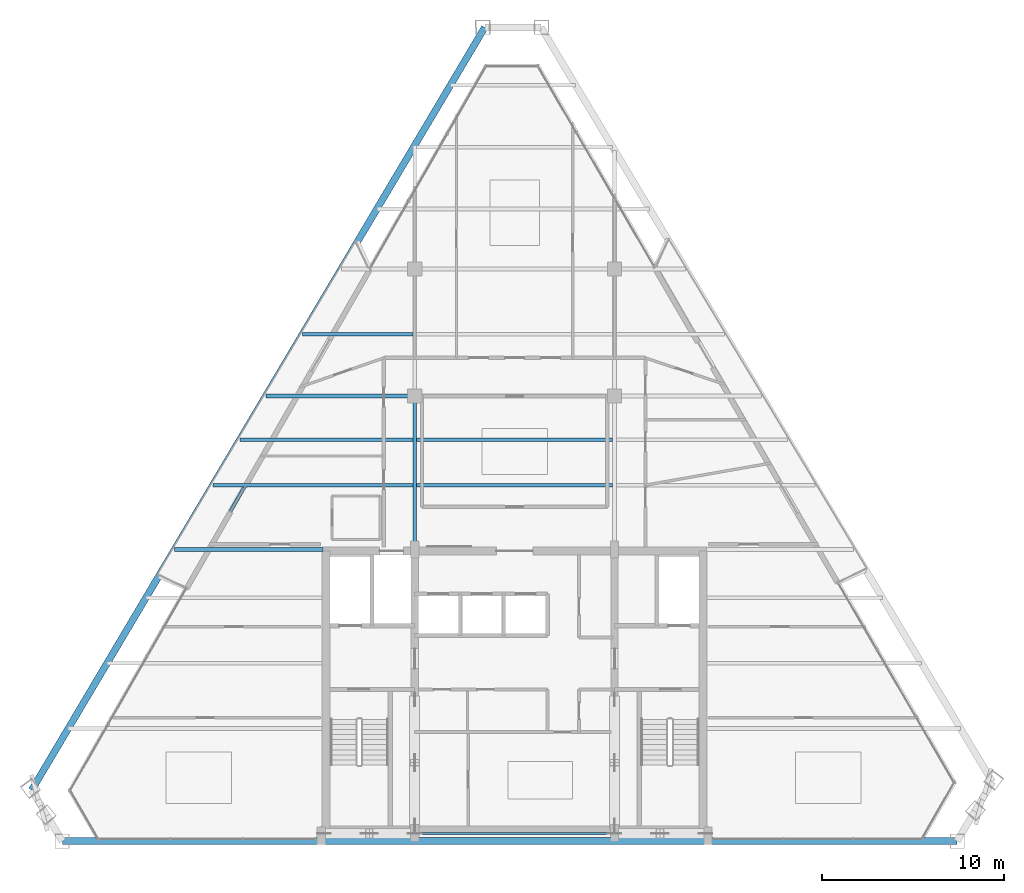
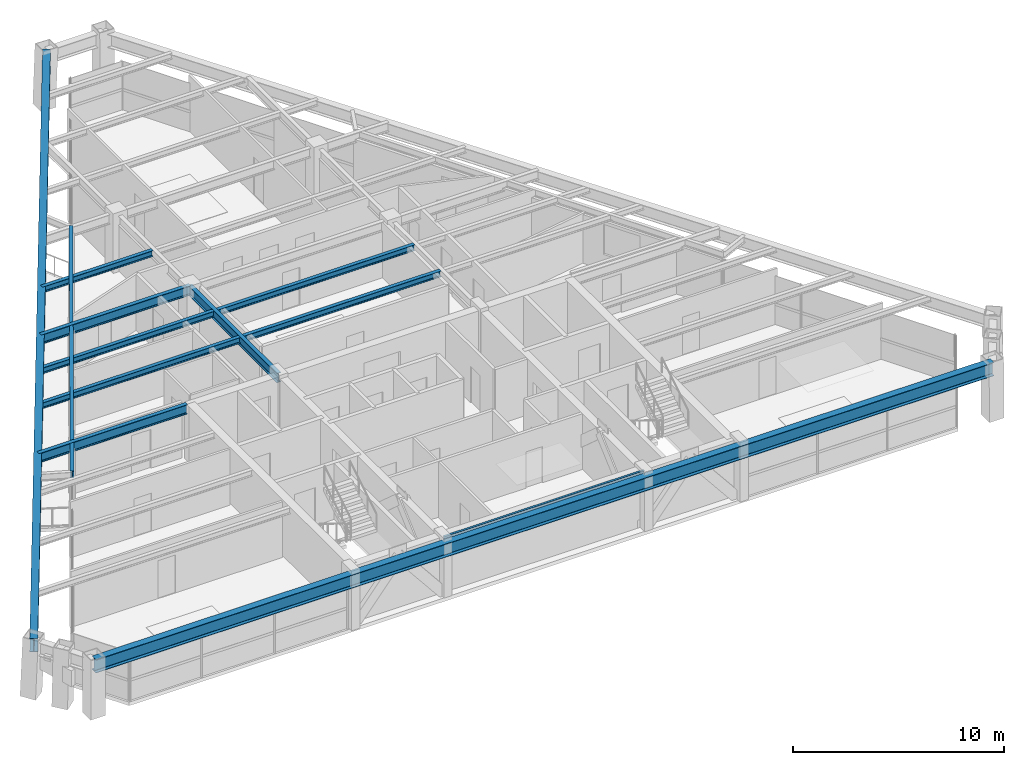
# One storey, part 3 of 13: 12 beams.
"""IFC4 building model written with IfcOpenShell, lengths in metres."""

from ifc_helpers import new_model, si_unit, direction, frame, origin, origin_2d, place, context, subcontext, project, spatial, i_section, extrude, source, transform, mapped, material, material_profile, profile_set, type_object, type_shapes, element, save


model = new_model("IFC4")

# Units and contexts
model_context = context("Model", 3, precision=1e-05, world=origin(), true_north=direction((0.0, 1.0)))
body_context = subcontext(model_context, "Body", "Model", "MODEL_VIEW")
ifc_project = project(units=[si_unit("LENGTHUNIT", "METRE"), si_unit("AREAUNIT", "SQUARE_METRE"), si_unit("VOLUMEUNIT", "CUBIC_METRE"), si_unit("PLANEANGLEUNIT", "RADIAN"), si_unit("MASSUNIT", "GRAM", prefix="KILO")], contexts=[model_context])

# Site, building, storey
site_placement = place(None, origin())
site = spatial("IfcSite", under=ifc_project, at=site_placement, CompositionType="ELEMENT")
building_placement = place(site_placement, origin())
building = spatial("IfcBuilding", under=site, at=building_placement, Name="Varnakhor Terracotta Tower", CompositionType="ELEMENT")
storey_placement = place(building_placement, frame((0.0, 0.0, 290.25)))
storey = spatial("IfcBuildingStorey", under=building, at=storey_placement, Name="L76", CompositionType="ELEMENT", Elevation=290.25)

# Beams
ifc_material = material(Name="Steel S355", Category="steel")
ifc_material_profile_1 = material_profile(ifc_material, i_section(OverallWidth=0.1201171875, OverallDepth=0.239990234375, WebThickness=0.006103515625, FlangeThickness=0.009765625, FilletRadius=0.01806640625, at=origin_2d()), Name="IPE240")
ifc_profile_set_1 = profile_set([ifc_material_profile_1], Name="Steel S355")
beam_type_1 = type_object("IfcBeamType", Name="LNT-IPE240", PredefinedType="LINTEL", material=ifc_profile_set_1)
shared_shape_1 = source(origin(), body_context, "Body", "SweptSolid", [
    extrude(i_section(OverallWidth=0.1201171875, OverallDepth=0.239990234375, WebThickness=0.006103515625, FlangeThickness=0.009765625, FilletRadius=0.01806640625, at=origin_2d()), origin(), (0.0, 0.0, 1.0), 11.0),
])
type_shapes(beam_type_1, [shared_shape_1])
beam_1_placement = place(storey_placement, frame((-5.5, 0.419921875, 3.1201171875), z_axis=(1.0, 0.0, 0.0), x_axis=(0.0, 1.0, 0.0)))
element("IfcBeam", 1, at=beam_1_placement, inside=storey, type_object=beam_type_1, Name="L76 Core South Coupling Lintel", PredefinedType="LINTEL", context=body_context, shape_type="MappedRepresentation", body=[
    mapped(shared_shape_1, transform((0.0, 0.0, 0.0), scale=1.0)),
])
ifc_material_profile_2 = material_profile(ifc_material, i_section(OverallWidth=0.214111328125, OverallDepth=0.549072265625, WebThickness=0.014892578125, FlangeThickness=0.02392578125, FilletRadius=0.01806640625, at=origin_2d()), Name="W21X93")
ifc_profile_set_2 = profile_set([ifc_material_profile_2], Name="Steel S355")
beam_type_2 = type_object("IfcBeamType", Name="BM-W21X93", PredefinedType="BEAM", material=ifc_profile_set_2)
shared_shape_2 = source(origin(), body_context, "Body", "SweptSolid", [
    extrude(i_section(OverallWidth=0.214111328125, OverallDepth=0.549072265625, WebThickness=0.014892578125, FlangeThickness=0.02392578125, FilletRadius=0.01806640625, at=origin_2d()), origin(), (0.0, 0.0, 1.0), 8.449951171875),
])
type_shapes(beam_type_2, [shared_shape_2])
beam_2_placement = place(storey_placement, frame((-5.5, 16.050048828125, 2.965576171875), z_axis=(0.0, 1.0, 0.0), x_axis=(-1.0, 0.0, 0.0)))
element("IfcBeam", 2, at=beam_2_placement, inside=storey, type_object=beam_type_2, Name="L76 Primary Girder NS1-W", PredefinedType="BEAM", context=body_context, shape_type="MappedRepresentation", body=[
    mapped(shared_shape_2, transform((0.0, 0.0, 0.0), scale=1.0)),
])
ifc_material_profile_3 = material_profile(ifc_material, i_section(OverallWidth=0.202880859375, OverallDepth=0.346923828125, WebThickness=0.0078125, FlangeThickness=0.013427734375, FilletRadius=0.01806640625, at=origin_2d()), Name="W14X43")
ifc_profile_set_3 = profile_set([ifc_material_profile_3], Name="Steel S355")
beam_type_3 = type_object("IfcBeamType", Name="JST-W14X43", PredefinedType="JOIST", material=ifc_profile_set_3)
shared_shape_3 = source(origin(), body_context, "Body", "SweptSolid", [
    extrude(i_section(OverallWidth=0.202880859375, OverallDepth=0.346923828125, WebThickness=0.0078125, FlangeThickness=0.013427734375, FilletRadius=0.01806640625, at=origin_2d()), origin(), (0.0, 0.0, 1.0), 10.7939453125),
])
for number, where, z_axis, x_axis, name in (
    (3, (-5.39697265625, 19.60009765625, 3.06640625), (1.0, 0.0, 0.0), (0.0, 1.0, 0.0), "L76 Composite Floor Joist 4-2"),
    (4, (-5.39697265625, 22.10009765625, 3.06640625), (1.0, 0.0, 0.0), (0.0, 1.0, 0.0), "L76 Composite Floor Joist 5-2"),
):
    element("IfcBeam", number, at=place(storey_placement, frame(where, z_axis=z_axis, x_axis=x_axis)), inside=storey, type_object=beam_type_3, Name=name, PredefinedType="JOIST", context=body_context, shape_type="MappedRepresentation", body=[
        mapped(shared_shape_3, transform((0.0, 0.0, 0.0), scale=1.0)),
    ])
ifc_material_profile_4 = material_profile(ifc_material, i_section(OverallWidth=0.381103515625, OverallDepth=0.77294921875, WebThickness=0.01708984375, FlangeThickness=0.027099609375, FilletRadius=0.01806640625, at=origin_2d()), Name="W30X173")
ifc_profile_set_4 = profile_set([ifc_material_profile_4], Name="Steel S355")
beam_type_4 = type_object("IfcBeamType", Name="BM-W30X173", PredefinedType="BEAM", material=ifc_profile_set_4)
shared_shape_4 = source(origin(), body_context, "Body", "SweptSolid", [
    extrude(i_section(OverallWidth=0.381103515625, OverallDepth=0.77294921875, WebThickness=0.01708984375, FlangeThickness=0.027099609375, FilletRadius=0.01806640625, at=origin_2d()), origin(), (0.0, 0.0, 1.0), 49.247314453125),
])
beam_3_placement = place(storey_placement, frame((-24.898193359375, 0.0, 2.853515625), z_axis=(1.0, 0.0, 0.0), x_axis=(0.0, 1.0, 0.0)))
element("IfcBeam", 5, at=beam_3_placement, inside=storey, type_object=beam_type_4, Name="L76 Perimeter Spandrel 1", PredefinedType="BEAM", context=body_context, shape_type="MappedRepresentation", body=[
    mapped(shared_shape_4, transform((0.0, 0.0, 0.0), scale=1.0)),
])
shared_shape_5 = source(origin(), body_context, "Body", "SweptSolid", [
    extrude(i_section(OverallWidth=0.381103515625, OverallDepth=0.77294921875, WebThickness=0.01708984375, FlangeThickness=0.027099609375, FilletRadius=0.01806640625, at=origin_2d()), origin(), (0.0, 0.0, 1.0), 48.826904296875),
])
beam_4_placement = place(storey_placement, frame((-1.6455078125, 44.79296875, 2.853515625), z_axis=(-0.510712726379, -0.859751424026, 0.0), x_axis=(0.859751424026, -0.510712726379, 0.0)))
element("IfcBeam", 6, at=beam_4_placement, inside=storey, type_object=beam_type_4, Name="L76 Perimeter Spandrel 6", PredefinedType="BEAM", context=body_context, shape_type="MappedRepresentation", body=[
    mapped(shared_shape_5, transform((0.0, 0.0, 0.0), scale=1.0)),
])
ifc_material_profile_5 = material_profile(ifc_material, i_section(OverallWidth=0.179931640625, OverallDepth=0.39990234375, WebThickness=0.008544921875, FlangeThickness=0.013427734375, FilletRadius=0.01806640625, at=origin_2d()), Name="IPE400")
ifc_profile_set_5 = profile_set([ifc_material_profile_5], Name="Steel S355")
beam_type_5 = type_object("IfcBeamType", Name="JST-IPE400", PredefinedType="JOIST", material=ifc_profile_set_5)
shared_shape_6 = source(origin(), body_context, "Body", "SweptSolid", [
    extrude(i_section(OverallWidth=0.179931640625, OverallDepth=0.39990234375, WebThickness=0.008544921875, FlangeThickness=0.013427734375, FilletRadius=0.01806640625, at=origin_2d()), origin(), (0.0, 0.0, 1.0), 20.327880859375),
])
beam_5_placement = place(storey_placement, frame((-7.96142578125, 31.539794921875, 3.0400390625), z_axis=(-0.497579099552, -0.867418606953, 0.0), x_axis=(0.867418606953, -0.497579099552, 0.0)))
element("IfcBeam", 7, at=beam_5_placement, inside=storey, type_object=beam_type_5, Name="L76 Loggia Edge Beam 2", PredefinedType="JOIST", context=body_context, shape_type="MappedRepresentation", body=[
    mapped(shared_shape_6, transform((0.0, 0.0, 0.0), scale=1.0)),
])
shared_shape_7 = source(origin(), body_context, "Body", "SweptSolid", [
    extrude(i_section(OverallWidth=0.214111328125, OverallDepth=0.549072265625, WebThickness=0.014892578125, FlangeThickness=0.02392578125, FilletRadius=0.01806640625, at=origin_2d()), origin(), (0.0, 0.0, 1.0), 8.16943359375),
])
beam_6_placement = place(storey_placement, frame((-18.719482421875, 16.050048828125, 2.965576171875), z_axis=(1.0, 0.0, 0.0), x_axis=(0.0, 1.0, 0.0)))
element("IfcBeam", 8, at=beam_6_placement, inside=storey, type_object=beam_type_2, Name="L76 Wing Girder W", PredefinedType="BEAM", context=body_context, shape_type="MappedRepresentation", body=[
    mapped(shared_shape_7, transform((0.0, 0.0, 0.0), scale=1.0)),
])
shared_shape_8 = source(origin(), body_context, "Body", "SweptSolid", [
    extrude(i_section(OverallWidth=0.214111328125, OverallDepth=0.549072265625, WebThickness=0.014892578125, FlangeThickness=0.02392578125, FilletRadius=0.01806640625, at=origin_2d()), origin(), (0.0, 0.0, 1.0), 8.199951171875),
])
beam_7_placement = place(storey_placement, frame((-13.699951171875, 24.5, 2.965576171875), z_axis=(1.0, 0.0, 0.0), x_axis=(0.0, 1.0, 0.0)))
element("IfcBeam", 9, at=beam_7_placement, inside=storey, type_object=beam_type_2, Name="L76 Primary Girder EW2-1", PredefinedType="BEAM", context=body_context, shape_type="MappedRepresentation", body=[
    mapped(shared_shape_8, transform((0.0, 0.0, 0.0), scale=1.0)),
])
shared_shape_9 = source(origin(), body_context, "Body", "SweptSolid", [
    extrude(i_section(OverallWidth=0.202880859375, OverallDepth=0.346923828125, WebThickness=0.0078125, FlangeThickness=0.013427734375, FilletRadius=0.01806640625, at=origin_2d()), origin(), (0.0, 0.0, 1.0), 11.007568359375),
])
beam_8_placement = place(storey_placement, frame((-16.610595703125, 19.60009765625, 3.06640625), z_axis=(1.0, 0.0, 0.0), x_axis=(0.0, 1.0, 0.0)))
element("IfcBeam", 10, at=beam_8_placement, inside=storey, type_object=beam_type_3, Name="L76 Composite Floor Joist 4-1", PredefinedType="JOIST", context=body_context, shape_type="MappedRepresentation", body=[
    mapped(shared_shape_9, transform((0.0, 0.0, 0.0), scale=1.0)),
])
shared_shape_10 = source(origin(), body_context, "Body", "SweptSolid", [
    extrude(i_section(OverallWidth=0.202880859375, OverallDepth=0.346923828125, WebThickness=0.0078125, FlangeThickness=0.013427734375, FilletRadius=0.01806640625, at=origin_2d()), origin(), (0.0, 0.0, 1.0), 9.5224609375),
])
beam_9_placement = place(storey_placement, frame((-15.12548828125, 22.10009765625, 3.06640625), z_axis=(1.0, 0.0, 0.0), x_axis=(0.0, 1.0, 0.0)))
element("IfcBeam", 11, at=beam_9_placement, inside=storey, type_object=beam_type_3, Name="L76 Composite Floor Joist 5-1", PredefinedType="JOIST", context=body_context, shape_type="MappedRepresentation", body=[
    mapped(shared_shape_10, transform((0.0, 0.0, 0.0), scale=1.0)),
])
shared_shape_11 = source(origin(), body_context, "Body", "SweptSolid", [
    extrude(i_section(OverallWidth=0.202880859375, OverallDepth=0.346923828125, WebThickness=0.0078125, FlangeThickness=0.013427734375, FilletRadius=0.01806640625, at=origin_2d()), origin(), (0.0, 0.0, 1.0), 6.077392578125),
])
beam_10_placement = place(storey_placement, frame((-11.680419921875, 27.89990234375, 3.06640625), z_axis=(1.0, 0.0, 0.0), x_axis=(0.0, 1.0, 0.0)))
element("IfcBeam", 12, at=beam_10_placement, inside=storey, type_object=beam_type_3, Name="L76 Composite Floor Joist 6-1", PredefinedType="JOIST", context=body_context, shape_type="MappedRepresentation", body=[
    mapped(shared_shape_11, transform((0.0, 0.0, 0.0), scale=1.0)),
])

save(model, "model.ifc")
